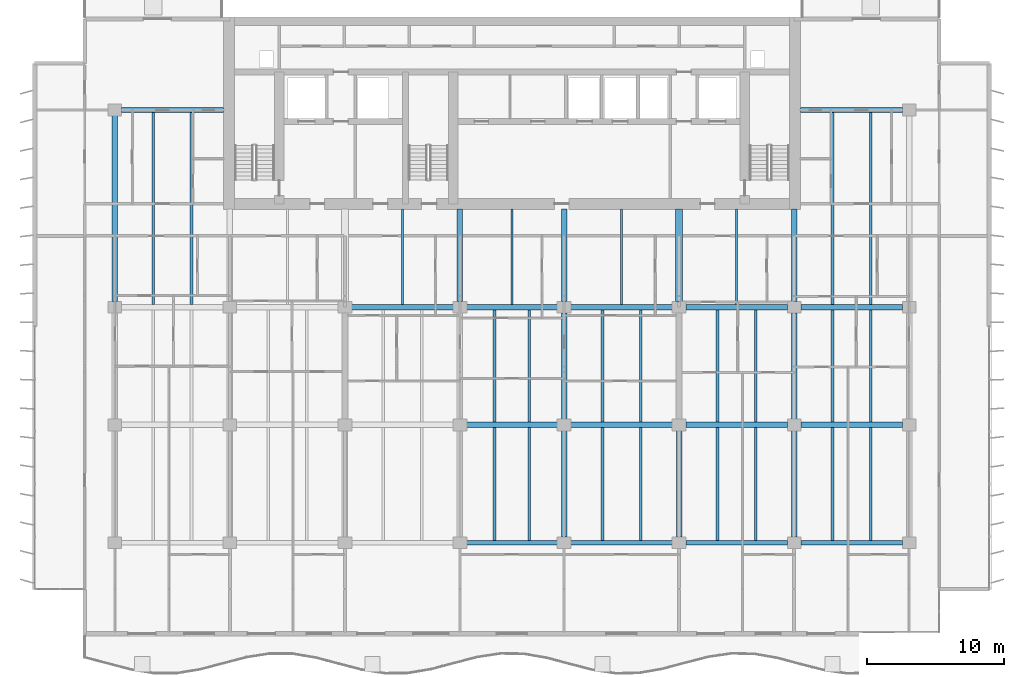
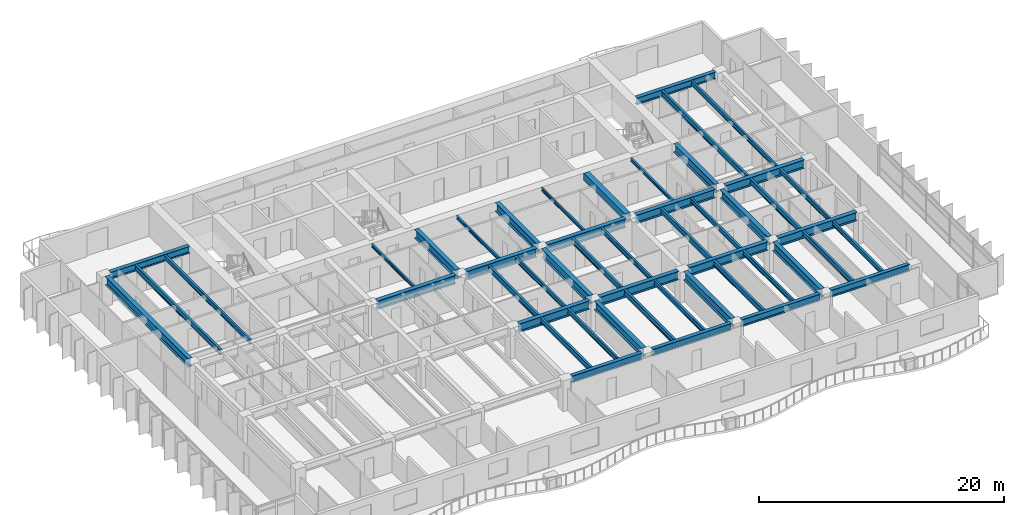
# One storey, part 3 of 17: 49 beams.
"""IFC4 building model written with IfcOpenShell, lengths in metres."""

from ifc_helpers import new_model, si_unit, direction, frame, origin, origin_2d, place, context, subcontext, project, spatial, rectangle, i_section, extrude, material, material_profile, profile_set, type_object, element, save


model = new_model("IFC4")

# Units and contexts
model_context = context("Model", 3, precision=1e-05, world=origin(), true_north=direction((0.0, 1.0)))
body_context = subcontext(model_context, "Body", "Model", "MODEL_VIEW")
ifc_project = project(units=[si_unit("LENGTHUNIT", "METRE"), si_unit("AREAUNIT", "SQUARE_METRE"), si_unit("VOLUMEUNIT", "CUBIC_METRE"), si_unit("PLANEANGLEUNIT", "RADIAN"), si_unit("MASSUNIT", "GRAM", prefix="KILO")], contexts=[model_context])

# Site, building, storey
site_placement = place(None, origin())
site = spatial("IfcSite", under=ifc_project, at=site_placement, CompositionType="ELEMENT")
building_placement = place(site_placement, origin())
building = spatial("IfcBuilding", under=site, at=building_placement, Name="Caelmar Bay Residences", CompositionType="ELEMENT")
storey_placement = place(building_placement, frame((0.0, 0.0, 105.89990234375)))
storey = spatial("IfcBuildingStorey", under=building, at=storey_placement, Name="L28", CompositionType="ELEMENT", Elevation=105.89990234375)

# Beams
ifc_material_1 = material(Name="Steel ASTM A992 Grade 50", Category="steel")
ifc_material_profile_1 = material_profile(ifc_material_1, i_section(OverallWidth=0.40087890625, OverallDepth=0.861083984375, WebThickness=0.019775390625, FlangeThickness=0.032470703125, FilletRadius=0.017822265625, at=origin_2d()), Name="W33X221")
ifc_profile_set_1 = profile_set([ifc_material_profile_1], Name="Steel ASTM A992 Grade 50")
beam_type_1 = type_object("IfcBeamType", Name="BM-GRD-W33X221", PredefinedType="BEAM", material=ifc_profile_set_1)
beam_1_placement = place(storey_placement, frame((35.590087890625, 20.800048828125, 2.61962890625), z_axis=(1.0, 0.0, 0.0), x_axis=(0.0, 1.0, 0.0)))
element("IfcBeam", 1, at=beam_1_placement, inside=storey, type_object=beam_type_1, Name="L28 East-West Girder Y=20.80 (35.1-42.7)", PredefinedType="BEAM", context=body_context, shape_type="SweptSolid", body=[
    extrude(i_section(OverallWidth=0.40087890625, OverallDepth=0.861083984375, WebThickness=0.019775390625, FlangeThickness=0.032470703125, FilletRadius=0.017822265625, at=origin_2d()), origin(), (0.0, 0.0, 1.0), 6.619873046875),
])
beam_2_placement = place(storey_placement, frame((43.18994140625, 20.800048828125, 2.61962890625), z_axis=(1.0, 0.0, 0.0), x_axis=(0.0, 1.0, 0.0)))
element("IfcBeam", 2, at=beam_2_placement, inside=storey, type_object=beam_type_1, Name="L28 East-West Girder Y=20.80 (42.7-51.1)", PredefinedType="BEAM", context=body_context, shape_type="SweptSolid", body=[
    extrude(i_section(OverallWidth=0.40087890625, OverallDepth=0.861083984375, WebThickness=0.019775390625, FlangeThickness=0.032470703125, FilletRadius=0.017822265625, at=origin_2d()), origin(), (0.0, 0.0, 1.0), 7.420166015625),
])
for number, where, z_axis, x_axis, name in (
    (3, (51.590087890625, 20.800048828125, 2.61962890625), (1.0, 0.0, 0.0), (0.0, 1.0, 0.0), "L28 East-West Girder Y=20.80 (51.1-59.5)"),
    (4, (59.989990234375, 20.800048828125, 2.61962890625), (1.0, 0.0, 0.0), (0.0, 1.0, 0.0), "L28 East-West Girder Y=20.80 (59.5-67.9)"),
):
    element("IfcBeam", number, at=place(storey_placement, frame(where, z_axis=z_axis, x_axis=x_axis)), inside=storey, type_object=beam_type_1, Name=name, PredefinedType="BEAM", context=body_context, shape_type="SweptSolid", body=[
        extrude(i_section(OverallWidth=0.40087890625, OverallDepth=0.861083984375, WebThickness=0.019775390625, FlangeThickness=0.032470703125, FilletRadius=0.017822265625, at=origin_2d()), origin(), (0.0, 0.0, 1.0), 7.419921875),
    ])
beam_3_placement = place(storey_placement, frame((27.18994140625, 29.39990234375, 2.61962890625), z_axis=(1.0, 0.0, 0.0), x_axis=(0.0, 1.0, 0.0)))
element("IfcBeam", 5, at=beam_3_placement, inside=storey, type_object=beam_type_1, Name="L28 East-West Girder Y=29.40 (26.7-35.1)", PredefinedType="BEAM", context=body_context, shape_type="SweptSolid", body=[
    extrude(i_section(OverallWidth=0.40087890625, OverallDepth=0.861083984375, WebThickness=0.019775390625, FlangeThickness=0.032470703125, FilletRadius=0.017822265625, at=origin_2d()), origin(), (0.0, 0.0, 1.0), 7.420166015625),
])
beam_4_placement = place(storey_placement, frame((35.590087890625, 29.39990234375, 2.61962890625), z_axis=(1.0, 0.0, 0.0), x_axis=(0.0, 1.0, 0.0)))
element("IfcBeam", 6, at=beam_4_placement, inside=storey, type_object=beam_type_1, Name="L28 East-West Girder Y=29.40 (35.1-42.7)", PredefinedType="BEAM", context=body_context, shape_type="SweptSolid", body=[
    extrude(i_section(OverallWidth=0.40087890625, OverallDepth=0.861083984375, WebThickness=0.019775390625, FlangeThickness=0.032470703125, FilletRadius=0.017822265625, at=origin_2d()), origin(), (0.0, 0.0, 1.0), 6.619873046875),
])
beam_5_placement = place(storey_placement, frame((43.18994140625, 29.39990234375, 2.61962890625), z_axis=(1.0, 0.0, 0.0), x_axis=(0.0, 1.0, 0.0)))
element("IfcBeam", 7, at=beam_5_placement, inside=storey, type_object=beam_type_1, Name="L28 East-West Girder Y=29.40 (42.7-51.1)", PredefinedType="BEAM", context=body_context, shape_type="SweptSolid", body=[
    extrude(i_section(OverallWidth=0.40087890625, OverallDepth=0.861083984375, WebThickness=0.019775390625, FlangeThickness=0.032470703125, FilletRadius=0.017822265625, at=origin_2d()), origin(), (0.0, 0.0, 1.0), 7.420166015625),
])
for number, where, z_axis, x_axis, name in (
    (8, (51.590087890625, 29.39990234375, 2.61962890625), (1.0, 0.0, 0.0), (0.0, 1.0, 0.0), "L28 East-West Girder Y=29.40 (51.1-59.5)"),
    (9, (59.989990234375, 29.39990234375, 2.61962890625), (1.0, 0.0, 0.0), (0.0, 1.0, 0.0), "L28 East-West Girder Y=29.40 (59.5-67.9)"),
):
    element("IfcBeam", number, at=place(storey_placement, frame(where, z_axis=z_axis, x_axis=x_axis)), inside=storey, type_object=beam_type_1, Name=name, PredefinedType="BEAM", context=body_context, shape_type="SweptSolid", body=[
        extrude(i_section(OverallWidth=0.40087890625, OverallDepth=0.861083984375, WebThickness=0.019775390625, FlangeThickness=0.032470703125, FilletRadius=0.017822265625, at=origin_2d()), origin(), (0.0, 0.0, 1.0), 7.419921875),
    ])
beam_6_placement = place(storey_placement, frame((9.89990234375, 29.81494140625, 2.61962890625), z_axis=(0.0, 1.0, 0.0), x_axis=(-1.0, 0.0, 0.0)))
element("IfcBeam", 10, at=beam_6_placement, inside=storey, type_object=beam_type_1, Name="L28 North-South Girder X=9.90 (29.4-43.8)", PredefinedType="BEAM", context=body_context, shape_type="SweptSolid", body=[
    extrude(i_section(OverallWidth=0.40087890625, OverallDepth=0.861083984375, WebThickness=0.019775390625, FlangeThickness=0.032470703125, FilletRadius=0.017822265625, at=origin_2d()), origin(), (0.0, 0.0, 1.0), 13.570068359375),
])
for number, where, z_axis, x_axis, name in (
    (11, (35.10009765625, 29.81494140625, 2.61962890625), (0.0, 1.0, 0.0), (-1.0, 0.0, 0.0), "L28 Core Tie Girder X=35.10"),
    (12, (42.699951171875, 29.81494140625, 2.61962890625), (0.0, 1.0, 0.0), (-1.0, 0.0, 0.0), "L28 Core Tie Girder X=42.70"),
):
    element("IfcBeam", number, at=place(storey_placement, frame(where, z_axis=z_axis, x_axis=x_axis)), inside=storey, type_object=beam_type_1, Name=name, PredefinedType="BEAM", context=body_context, shape_type="SweptSolid", body=[
        extrude(i_section(OverallWidth=0.40087890625, OverallDepth=0.861083984375, WebThickness=0.019775390625, FlangeThickness=0.032470703125, FilletRadius=0.017822265625, at=origin_2d()), origin(), (0.0, 0.0, 1.0), 6.735107421875),
    ])
for number, where, z_axis, x_axis, name in (
    (13, (42.699951171875, 12.614990234375, 2.61962890625), (0.0, 1.0, 0.0), (-1.0, 0.0, 0.0), "L28 North-South Girder X=42.70 (12.2-20.8)"),
    (14, (42.699951171875, 21.215087890625, 2.61962890625), (0.0, 1.0, 0.0), (-1.0, 0.0, 0.0), "L28 North-South Girder X=42.70 (20.8-29.4)"),
    (15, (51.10009765625, 12.614990234375, 2.61962890625), (0.0, 1.0, 0.0), (-1.0, 0.0, 0.0), "L28 North-South Girder X=51.10 (12.2-20.8)"),
):
    element("IfcBeam", number, at=place(storey_placement, frame(where, z_axis=z_axis, x_axis=x_axis)), inside=storey, type_object=beam_type_1, Name=name, PredefinedType="BEAM", context=body_context, shape_type="SweptSolid", body=[
        extrude(i_section(OverallWidth=0.40087890625, OverallDepth=0.861083984375, WebThickness=0.019775390625, FlangeThickness=0.032470703125, FilletRadius=0.017822265625, at=origin_2d()), origin(), (0.0, 0.0, 1.0), 7.77001953125),
    ])
beam_7_placement = place(storey_placement, frame((59.5, 29.81494140625, 2.61962890625), z_axis=(0.0, 1.0, 0.0), x_axis=(-1.0, 0.0, 0.0)))
element("IfcBeam", 16, at=beam_7_placement, inside=storey, type_object=beam_type_1, Name="L28 Core Tie Girder X=59.50", PredefinedType="BEAM", context=body_context, shape_type="SweptSolid", body=[
    extrude(i_section(OverallWidth=0.40087890625, OverallDepth=0.861083984375, WebThickness=0.019775390625, FlangeThickness=0.032470703125, FilletRadius=0.017822265625, at=origin_2d()), origin(), (0.0, 0.0, 1.0), 6.735107421875),
])
for number, where, z_axis, x_axis, name in (
    (17, (59.5, 12.614990234375, 2.61962890625), (0.0, 1.0, 0.0), (-1.0, 0.0, 0.0), "L28 North-South Girder X=59.50 (12.2-20.8)"),
    (18, (59.5, 21.215087890625, 2.61962890625), (0.0, 1.0, 0.0), (-1.0, 0.0, 0.0), "L28 North-South Girder X=59.50 (20.8-29.4)"),
):
    element("IfcBeam", number, at=place(storey_placement, frame(where, z_axis=z_axis, x_axis=x_axis)), inside=storey, type_object=beam_type_1, Name=name, PredefinedType="BEAM", context=body_context, shape_type="SweptSolid", body=[
        extrude(i_section(OverallWidth=0.40087890625, OverallDepth=0.861083984375, WebThickness=0.019775390625, FlangeThickness=0.032470703125, FilletRadius=0.017822265625, at=origin_2d()), origin(), (0.0, 0.0, 1.0), 7.77001953125),
    ])
ifc_material_profile_2 = material_profile(ifc_material_1, i_section(OverallWidth=0.1650390625, OverallDepth=0.31005859375, WebThickness=0.005859375, FlangeThickness=0.009765625, FilletRadius=0.007568359375, at=origin_2d()), Name="W12X26")
ifc_profile_set_2 = profile_set([ifc_material_profile_2], Name="Steel ASTM A992 Grade 50")
beam_type_2 = type_object("IfcBeamType", Name="BM-JST-W12X26", PredefinedType="JOIST", material=ifc_profile_set_2)
for number, where, z_axis, x_axis, name in (
    (19, (30.89990234375, 29.6005859375, 2.89501953125), (0.0, 1.0, 0.0), (-1.0, 0.0, 0.0), "L28 Core-Band Composite Joist 30"),
    (20, (38.89990234375, 29.6005859375, 2.89501953125), (0.0, 1.0, 0.0), (-1.0, 0.0, 0.0), "L28 Core-Band Composite Joist 31"),
    (21, (46.89990234375, 29.6005859375, 2.89501953125), (0.0, 1.0, 0.0), (-1.0, 0.0, 0.0), "L28 Core-Band Composite Joist 32"),
    (22, (55.300048828125, 29.6005859375, 2.89501953125), (0.0, 1.0, 0.0), (-1.0, 0.0, 0.0), "L28 Core-Band Composite Joist 33"),
):
    element("IfcBeam", number, at=place(storey_placement, frame(where, z_axis=z_axis, x_axis=x_axis)), inside=storey, type_object=beam_type_2, Name=name, PredefinedType="JOIST", context=body_context, shape_type="SweptSolid", body=[
        extrude(i_section(OverallWidth=0.1650390625, OverallDepth=0.31005859375, WebThickness=0.005859375, FlangeThickness=0.009765625, FilletRadius=0.007568359375, at=origin_2d()), origin(), (0.0, 0.0, 1.0), 6.949462890625),
    ])
ifc_material_profile_3 = material_profile(ifc_material_1, i_section(OverallWidth=0.19091796875, OverallDepth=0.45703125, WebThickness=0.009033203125, FlangeThickness=0.014404296875, FilletRadius=0.01025390625, at=origin_2d()), Name="W18X50")
ifc_profile_set_3 = profile_set([ifc_material_profile_3], Name="Steel ASTM A992 Grade 50")
beam_type_3 = type_object("IfcBeamType", Name="BM-JST-W18X50", PredefinedType="JOIST", material=ifc_profile_set_3)
for number, where, z_axis, x_axis, name in (
    (23, (40.166748046875, 12.3779296875, 2.821533203125), (0.0, 1.0, 0.0), (-1.0, 0.0, 0.0), "L28 Composite Floor Joist 8"),
    (24, (48.300048828125, 12.3779296875, 2.821533203125), (0.0, 1.0, 0.0), (-1.0, 0.0, 0.0), "L28 Composite Floor Joist 10"),
    (25, (56.699951171875, 12.3779296875, 2.821533203125), (0.0, 1.0, 0.0), (-1.0, 0.0, 0.0), "L28 Composite Floor Joist 12"),
    (26, (65.10009765625, 12.3779296875, 2.821533203125), (0.0, 1.0, 0.0), (-1.0, 0.0, 0.0), "L28 Composite Floor Joist 14"),
):
    element("IfcBeam", number, at=place(storey_placement, frame(where, z_axis=z_axis, x_axis=x_axis)), inside=storey, type_object=beam_type_3, Name=name, PredefinedType="JOIST", context=body_context, shape_type="SweptSolid", body=[
        extrude(i_section(OverallWidth=0.19091796875, OverallDepth=0.45703125, WebThickness=0.009033203125, FlangeThickness=0.014404296875, FilletRadius=0.01025390625, at=origin_2d()), origin(), (0.0, 0.0, 1.0), 8.2216796875),
    ])
for number, where, z_axis, x_axis, name in (
    (27, (40.166748046875, 21.00048828125, 2.821533203125), (0.0, 1.0, 0.0), (-1.0, 0.0, 0.0), "L28 Composite Floor Joist 22"),
    (28, (48.300048828125, 21.00048828125, 2.821533203125), (0.0, 1.0, 0.0), (-1.0, 0.0, 0.0), "L28 Composite Floor Joist 24"),
    (29, (56.699951171875, 21.00048828125, 2.821533203125), (0.0, 1.0, 0.0), (-1.0, 0.0, 0.0), "L28 Composite Floor Joist 26"),
    (30, (65.10009765625, 21.00048828125, 2.821533203125), (0.0, 1.0, 0.0), (-1.0, 0.0, 0.0), "L28 Composite Floor Joist 28"),
):
    element("IfcBeam", number, at=place(storey_placement, frame(where, z_axis=z_axis, x_axis=x_axis)), inside=storey, type_object=beam_type_3, Name=name, PredefinedType="JOIST", context=body_context, shape_type="SweptSolid", body=[
        extrude(i_section(OverallWidth=0.19091796875, OverallDepth=0.45703125, WebThickness=0.009033203125, FlangeThickness=0.014404296875, FilletRadius=0.01025390625, at=origin_2d()), origin(), (0.0, 0.0, 1.0), 8.198974609375),
    ])
for number, where, z_axis, x_axis, name in (
    (31, (15.5, 29.6005859375, 2.821533203125), (0.0, 1.0, 0.0), (-1.0, 0.0, 0.0), "L28 Composite Floor Joist 35"),
    (32, (65.10009765625, 29.6005859375, 2.821533203125), (0.0, 1.0, 0.0), (-1.0, 0.0, 0.0), "L28 Composite Floor Joist 37"),
):
    element("IfcBeam", number, at=place(storey_placement, frame(where, z_axis=z_axis, x_axis=x_axis)), inside=storey, type_object=beam_type_3, Name=name, PredefinedType="JOIST", context=body_context, shape_type="SweptSolid", body=[
        extrude(i_section(OverallWidth=0.19091796875, OverallDepth=0.45703125, WebThickness=0.009033203125, FlangeThickness=0.014404296875, FilletRadius=0.01025390625, at=origin_2d()), origin(), (0.0, 0.0, 1.0), 14.021484375),
    ])
ifc_material_profile_4 = material_profile(ifc_material_1, i_section(OverallWidth=0.2099609375, OverallDepth=0.535888671875, WebThickness=0.010986328125, FlangeThickness=0.017333984375, FilletRadius=0.0126953125, at=origin_2d()), Name="W21X68")
ifc_profile_set_4 = profile_set([ifc_material_profile_4], Name="Steel ASTM A992 Grade 50")
beam_type_4 = type_object("IfcBeamType", Name="BM-JST-W21X68", PredefinedType="JOIST", material=ifc_profile_set_4)
for number, where, z_axis, x_axis, name in (
    (33, (37.63330078125, 12.3779296875, 2.781982421875), (0.0, 1.0, 0.0), (-1.0, 0.0, 0.0), "L28 Composite Floor Joist 7"),
    (34, (45.5, 12.3779296875, 2.781982421875), (0.0, 1.0, 0.0), (-1.0, 0.0, 0.0), "L28 Composite Floor Joist 9"),
    (35, (53.89990234375, 12.3779296875, 2.781982421875), (0.0, 1.0, 0.0), (-1.0, 0.0, 0.0), "L28 Composite Floor Joist 11"),
    (36, (62.300048828125, 12.3779296875, 2.781982421875), (0.0, 1.0, 0.0), (-1.0, 0.0, 0.0), "L28 Composite Floor Joist 13"),
):
    element("IfcBeam", number, at=place(storey_placement, frame(where, z_axis=z_axis, x_axis=x_axis)), inside=storey, type_object=beam_type_4, Name=name, PredefinedType="JOIST", context=body_context, shape_type="SweptSolid", body=[
        extrude(i_section(OverallWidth=0.2099609375, OverallDepth=0.535888671875, WebThickness=0.010986328125, FlangeThickness=0.017333984375, FilletRadius=0.0126953125, at=origin_2d()), origin(), (0.0, 0.0, 1.0), 8.2216796875),
    ])
for number, where, z_axis, x_axis, name in (
    (37, (37.63330078125, 21.00048828125, 2.781982421875), (0.0, 1.0, 0.0), (-1.0, 0.0, 0.0), "L28 Composite Floor Joist 21"),
    (38, (45.5, 21.00048828125, 2.781982421875), (0.0, 1.0, 0.0), (-1.0, 0.0, 0.0), "L28 Composite Floor Joist 23"),
    (39, (53.89990234375, 21.00048828125, 2.781982421875), (0.0, 1.0, 0.0), (-1.0, 0.0, 0.0), "L28 Composite Floor Joist 25"),
    (40, (62.300048828125, 21.00048828125, 2.781982421875), (0.0, 1.0, 0.0), (-1.0, 0.0, 0.0), "L28 Composite Floor Joist 27"),
):
    element("IfcBeam", number, at=place(storey_placement, frame(where, z_axis=z_axis, x_axis=x_axis)), inside=storey, type_object=beam_type_4, Name=name, PredefinedType="JOIST", context=body_context, shape_type="SweptSolid", body=[
        extrude(i_section(OverallWidth=0.2099609375, OverallDepth=0.535888671875, WebThickness=0.010986328125, FlangeThickness=0.017333984375, FilletRadius=0.0126953125, at=origin_2d()), origin(), (0.0, 0.0, 1.0), 8.198974609375),
    ])
for number, where, z_axis, x_axis, name in (
    (41, (12.699951171875, 29.6005859375, 2.781982421875), (0.0, 1.0, 0.0), (-1.0, 0.0, 0.0), "L28 Composite Floor Joist 34"),
    (42, (62.300048828125, 29.6005859375, 2.781982421875), (0.0, 1.0, 0.0), (-1.0, 0.0, 0.0), "L28 Composite Floor Joist 36"),
):
    element("IfcBeam", number, at=place(storey_placement, frame(where, z_axis=z_axis, x_axis=x_axis)), inside=storey, type_object=beam_type_4, Name=name, PredefinedType="JOIST", context=body_context, shape_type="SweptSolid", body=[
        extrude(i_section(OverallWidth=0.2099609375, OverallDepth=0.535888671875, WebThickness=0.010986328125, FlangeThickness=0.017333984375, FilletRadius=0.0126953125, at=origin_2d()), origin(), (0.0, 0.0, 1.0), 14.021484375),
    ])
ifc_material_2 = material(Name="Concrete f'c 55 MPa (8,000 psi)", Category="concrete")
ifc_material_profile_5 = material_profile(ifc_material_2, rectangle(XDim=0.5, YDim=0.699951171875, at=origin_2d()), Name="RC-BM-500X700")
ifc_profile_set_5 = profile_set([ifc_material_profile_5], Name="Concrete f'c 55 MPa (8,000 psi)")
beam_type_5 = type_object("IfcBeamType", Name="BM-RC-500X700", PredefinedType="LINTEL", material=ifc_profile_set_5)
beam_8_placement = place(storey_placement, frame((51.10009765625, 29.81494140625, 2.7001953125), z_axis=(0.0, 1.0, 0.0), x_axis=(-1.0, 0.0, 0.0)))
element("IfcBeam", 43, at=beam_8_placement, inside=storey, type_object=beam_type_5, Name="L28 Shear-Wall Corridor Coupling Lintel E8", PredefinedType="LINTEL", context=body_context, shape_type="SweptSolid", body=[
    extrude(rectangle(XDim=0.5, YDim=0.699951171875, at=origin_2d()), origin(), (0.0, 0.0, 1.0), 6.735107421875),
])
ifc_material_profile_6 = material_profile(ifc_material_1, i_section(OverallWidth=0.35595703125, OverallDepth=0.696044921875, WebThickness=0.015380859375, FlangeThickness=0.02490234375, FilletRadius=0.01513671875, at=origin_2d()), Name="W27X146")
ifc_profile_set_6 = profile_set([ifc_material_profile_6], Name="Steel ASTM A992 Grade 50")
beam_type_6 = type_object("IfcBeamType", Name="BM-SPN-W27X146", PredefinedType="SPANDREL", material=ifc_profile_set_6)
beam_9_placement = place(storey_placement, frame((35.590087890625, 12.199951171875, 2.7021484375), z_axis=(1.0, 0.0, 0.0), x_axis=(0.0, 1.0, 0.0)))
element("IfcBeam", 44, at=beam_9_placement, inside=storey, type_object=beam_type_6, Name="L28 East-West Girder Y=12.20 (35.1-42.7)", PredefinedType="SPANDREL", context=body_context, shape_type="SweptSolid", body=[
    extrude(i_section(OverallWidth=0.35595703125, OverallDepth=0.696044921875, WebThickness=0.015380859375, FlangeThickness=0.02490234375, FilletRadius=0.01513671875, at=origin_2d()), origin(), (0.0, 0.0, 1.0), 6.619873046875),
])
beam_10_placement = place(storey_placement, frame((43.18994140625, 12.199951171875, 2.7021484375), z_axis=(1.0, 0.0, 0.0), x_axis=(0.0, 1.0, 0.0)))
element("IfcBeam", 45, at=beam_10_placement, inside=storey, type_object=beam_type_6, Name="L28 East-West Girder Y=12.20 (42.7-51.1)", PredefinedType="SPANDREL", context=body_context, shape_type="SweptSolid", body=[
    extrude(i_section(OverallWidth=0.35595703125, OverallDepth=0.696044921875, WebThickness=0.015380859375, FlangeThickness=0.02490234375, FilletRadius=0.01513671875, at=origin_2d()), origin(), (0.0, 0.0, 1.0), 7.420166015625),
])
for number, where, z_axis, x_axis, name in (
    (46, (51.590087890625, 12.199951171875, 2.7021484375), (1.0, 0.0, 0.0), (0.0, 1.0, 0.0), "L28 East-West Girder Y=12.20 (51.1-59.5)"),
    (47, (59.989990234375, 12.199951171875, 2.7021484375), (1.0, 0.0, 0.0), (0.0, 1.0, 0.0), "L28 East-West Girder Y=12.20 (59.5-67.9)"),
):
    element("IfcBeam", number, at=place(storey_placement, frame(where, z_axis=z_axis, x_axis=x_axis)), inside=storey, type_object=beam_type_6, Name=name, PredefinedType="SPANDREL", context=body_context, shape_type="SweptSolid", body=[
        extrude(i_section(OverallWidth=0.35595703125, OverallDepth=0.696044921875, WebThickness=0.015380859375, FlangeThickness=0.02490234375, FilletRadius=0.01513671875, at=origin_2d()), origin(), (0.0, 0.0, 1.0), 7.419921875),
    ])
beam_11_placement = place(storey_placement, frame((10.389892578125, 43.800048828125, 2.7021484375), z_axis=(1.0, 0.0, 0.0), x_axis=(0.0, 1.0, 0.0)))
element("IfcBeam", 48, at=beam_11_placement, inside=storey, type_object=beam_type_6, Name="L28 North-West Wing Core Tie Girder", PredefinedType="SPANDREL", context=body_context, shape_type="SweptSolid", body=[
    extrude(i_section(OverallWidth=0.35595703125, OverallDepth=0.696044921875, WebThickness=0.015380859375, FlangeThickness=0.02490234375, FilletRadius=0.01513671875, at=origin_2d()), origin(), (0.0, 0.0, 1.0), 7.460205078125),
])
beam_12_placement = place(storey_placement, frame((59.949951171875, 43.800048828125, 2.7021484375), z_axis=(1.0, 0.0, 0.0), x_axis=(0.0, 1.0, 0.0)))
element("IfcBeam", 49, at=beam_12_placement, inside=storey, type_object=beam_type_6, Name="L28 North-East Wing Core Tie Girder", PredefinedType="SPANDREL", context=body_context, shape_type="SweptSolid", body=[
    extrude(i_section(OverallWidth=0.35595703125, OverallDepth=0.696044921875, WebThickness=0.015380859375, FlangeThickness=0.02490234375, FilletRadius=0.01513671875, at=origin_2d()), origin(), (0.0, 0.0, 1.0), 7.4599609375),
])

save(model, "model.ifc")
